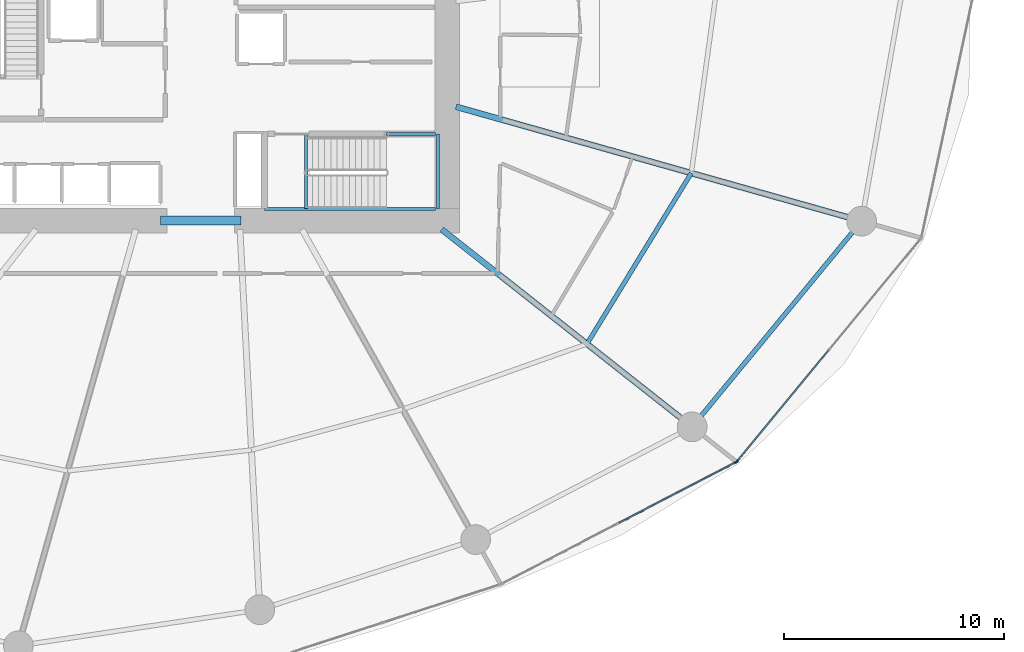
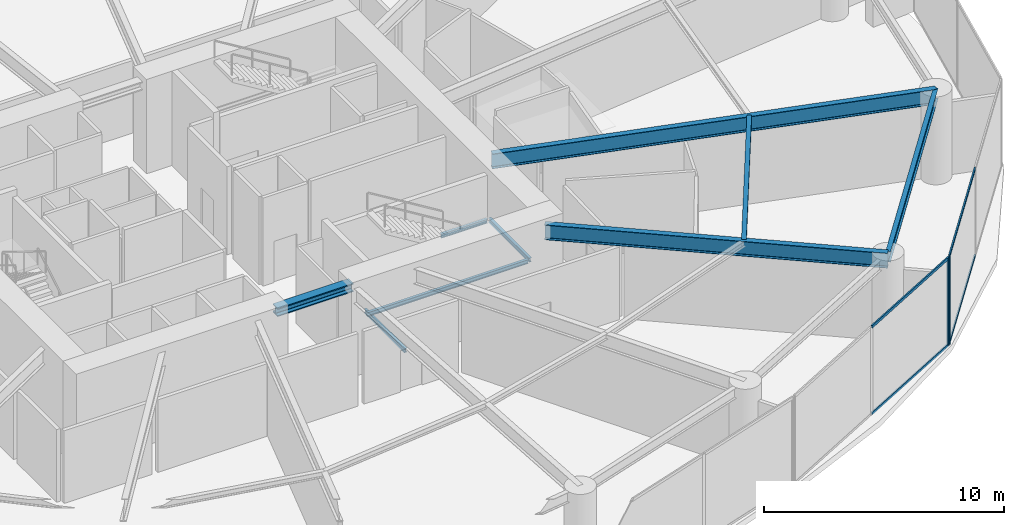
# One storey, part 10 of 22: 9 beams, 6 members, 2 elements without a shape of their own.
"""IFC4 building model written with IfcOpenShell, lengths in metres."""

import ifcopenshell
import ifcopenshell.guid

model = None  # the IFC model being written
_history = None  # IfcOwnerHistory: only IFC2X3 demands one
_inside = {}  # id of a spatial element -> (the spatial element, [elements in it])
_under = {}  # id of a project, library or spatial element -> (it, [spatial elements below it])
_declared = {}  # id of a project -> (the project, [libraries it declares])
_typed = {}  # id of a type object -> (the type object, [elements of that type])
_made_of = {}  # id of a material, layer set ... -> (it, [elements and type objects made of it])


def new_model(schema):
    """Start an empty IFC model of exactly this schema.

    Asked for "IFC4X3", IfcOpenShell would pick the latest addendum, in which some entities
    have other attributes; the version numbers below select the first issue.
    IFC2X3 requires an IfcOwnerHistory on every rooted entity: one is made here for all.
    """
    global model, _history
    if schema == "IFC4X3":
        model = ifcopenshell.file(schema_version=(4, 3, 0, 0))
    else:
        model = ifcopenshell.file(schema=schema)
    _inside.clear()
    _under.clear()
    _declared.clear()
    _typed.clear()
    _made_of.clear()
    _history = None
    if model.schema == "IFC2X3":
        org = make("IfcOrganization", Name="unknown")
        user = make(
            "IfcPersonAndOrganization",
            ThePerson=make("IfcPerson", FamilyName="unknown"),
            TheOrganization=org,
        )
        app = make(
            "IfcApplication",
            ApplicationDeveloper=org,
            Version="unknown",
            ApplicationFullName="unknown",
            ApplicationIdentifier="unknown",
        )
        _history = make(
            "IfcOwnerHistory",
            OwningUser=user,
            OwningApplication=app,
            ChangeAction="ADDED",
            CreationDate=0,
        )
    return model


def make(cls, **values):
    """One entity of the class cls with the attributes given. An attribute that is None is left unset."""
    return model.create_entity(
        cls, **{name: value for name, value in values.items() if value is not None}
    )


def rooted(cls, **values):
    """An entity with a GlobalId (a new one), such as an element, a storey or a relation."""
    return make(cls, GlobalId=ifcopenshell.guid.new(), OwnerHistory=_history, **values)


def si_unit(unit_type, name, prefix=None):
    """IfcSIUnit, for example si_unit("LENGTHUNIT", "METRE", prefix="MILLI")."""
    return make("IfcSIUnit", UnitType=unit_type, Prefix=prefix, Name=name)


def assignment(units):
    """IfcUnitAssignment: the units of a project."""
    return None if units is None else make("IfcUnitAssignment", Units=units)


def point(xyz):
    """IfcCartesianPoint."""
    return None if xyz is None else make("IfcCartesianPoint", Coordinates=xyz)


def direction(xyz):
    """IfcDirection."""
    return None if xyz is None else make("IfcDirection", DirectionRatios=xyz)


def frame(location, z_axis=None, x_axis=None):
    """IfcAxis2Placement3D, a coordinate frame: its origin and axes. An axis left out is left unset."""
    return make(
        "IfcAxis2Placement3D",
        Location=point(location),
        Axis=direction(z_axis),
        RefDirection=direction(x_axis),
    )


def frame_2d(location, x_axis=None):
    """IfcAxis2Placement2D, a coordinate frame in the plane: its origin and x axis."""
    return make(
        "IfcAxis2Placement2D", Location=point(location), RefDirection=direction(x_axis)
    )


def origin():
    """The frame at (0, 0, 0) with its axes left unset."""
    return frame((0.0, 0.0, 0.0))


def origin_2d():
    """The frame at (0, 0) in the plane with its x axis left unset."""
    return frame_2d((0.0, 0.0))


def place(relative_to, where):
    """IfcLocalPlacement: puts the frame where relative to a parent placement (None: the world)."""
    return make(
        "IfcLocalPlacement", PlacementRelTo=relative_to, RelativePlacement=where
    )


def context(
    kind, dimensions, precision=None, world=None, true_north=None, identifier=None
):
    """IfcGeometricRepresentationContext, for example the 3D "Model" context."""
    return make(
        "IfcGeometricRepresentationContext",
        ContextIdentifier=identifier,
        ContextType=kind,
        CoordinateSpaceDimension=dimensions,
        Precision=precision,
        WorldCoordinateSystem=world,
        TrueNorth=true_north,
    )


def subcontext(parent, identifier, kind, view, scale=None):
    """IfcGeometricRepresentationSubContext, for example "Body" below "Model"."""
    return make(
        "IfcGeometricRepresentationSubContext",
        ContextIdentifier=identifier,
        ContextType=kind,
        ParentContext=parent,
        TargetScale=scale,
        TargetView=view,
    )


def project(units=None, contexts=None):
    """IfcProject with its units and contexts."""
    return rooted(
        "IfcProject",
        Name="project",
        RepresentationContexts=contexts,
        UnitsInContext=assignment(units),
    )


def spatial(cls, under=None, at=None, **own):
    """A site, building, storey or space (cls), placed at a placement, below another one or the project."""
    s = rooted(cls, ObjectPlacement=at, **own)
    if under is not None:
        _under.setdefault(under.id(), (under, []))[1].append(s)
    return s


def profile(cls, at=None, kind="AREA", **sizes):
    """A parametric profile (cls). Its sizes go by their IFC names, for example OverallWidth=200.0."""
    return make(cls, ProfileType=kind, Position=at, **sizes)


def rectangle(**sizes):
    """IfcRectangleProfileDef."""
    return profile("IfcRectangleProfileDef", **sizes)


def i_section(**sizes):
    """IfcIShapeProfileDef."""
    return profile("IfcIShapeProfileDef", **sizes)


def extrude(swept, where, along, depth):
    """IfcExtrudedAreaSolid: the profile swept, set in the frame where, extruded along a direction by depth."""
    return make(
        "IfcExtrudedAreaSolid",
        SweptArea=swept,
        Position=where,
        ExtrudedDirection=direction(along),
        Depth=depth,
    )


def shape(context_of_items, identifier, shape_type, items):
    """IfcShapeRepresentation: the items that make up one representation, for example the "Body"."""
    return make(
        "IfcShapeRepresentation",
        ContextOfItems=context_of_items,
        RepresentationIdentifier=identifier,
        RepresentationType=shape_type,
        Items=items,
    )


def material(Name=None, Category=None):
    """IfcMaterial."""
    return make("IfcMaterial", Name=Name, Category=Category)


def layer(
    of_material, thickness, ventilated=None, Name=None, Category=None, Priority=None
):
    """IfcMaterialLayer: one layer of a wall or slab, of a material (None: an air gap)."""
    return make(
        "IfcMaterialLayer",
        Material=of_material,
        LayerThickness=thickness,
        IsVentilated=ventilated,
        Name=Name,
        Category=Category,
        Priority=Priority,
    )


def layer_set(layers, Name=None):
    """IfcMaterialLayerSet."""
    return make("IfcMaterialLayerSet", MaterialLayers=layers, LayerSetName=Name)


def material_profile(
    of_material, cross_section, Name=None, Category=None, Priority=None
):
    """IfcMaterialProfile: a cross section and its material."""
    return make(
        "IfcMaterialProfile",
        Name=Name,
        Material=of_material,
        Profile=cross_section,
        Priority=Priority,
        Category=Category,
    )


def profile_set(profiles, Name=None, composite=None):
    """IfcMaterialProfileSet."""
    return make(
        "IfcMaterialProfileSet",
        Name=Name,
        MaterialProfiles=profiles,
        CompositeProfile=composite,
    )


def made_of(thing, what):
    """Note that an element or type object is made of a material, layer set ...; save() writes the relation."""
    if what is not None:
        _made_of.setdefault(what.id(), (what, []))[1].append(thing)
    return thing


def type_object(cls, material=None, **own):
    """A type object (cls), such as IfcWallType, which elements share."""
    return made_of(rooted(cls, **own), material)


def element(
    cls,
    number,
    at=None,
    inside=None,
    cuts=None,
    type_object=None,
    material=None,
    context=None,
    identifier="Body",
    shape_type=None,
    held_by="IfcProductDefinitionShape",
    body=None,
    shapes=None,
    **own,
):
    """One element of the class cls, such as IfcWall. Its Tag is "e" and its number.

    at: its placement. inside: the storey or other place that contains it. cuts: it is an
    opening in that element (IfcRelVoidsElement). A single representation is given by context,
    identifier, shape_type and body (its items); several are given by shapes. held_by: the class
    of the entity that holds the representations. save() writes the other relations.
    """
    e = rooted(cls, Tag="e%d" % number, ObjectPlacement=at, **own)
    if body is not None:
        shapes = [shape(context, identifier, shape_type, body)]
    if shapes is not None:
        e.Representation = make(held_by, Representations=shapes)
    if inside is not None:
        _inside.setdefault(inside.id(), (inside, []))[1].append(e)
    if cuts is not None:
        rooted(
            "IfcRelVoidsElement", RelatingBuildingElement=cuts, RelatedOpeningElement=e
        )
    if type_object is not None:
        _typed.setdefault(type_object.id(), (type_object, []))[1].append(e)
    return made_of(e, material)


def aggregate(whole, parts):
    """IfcRelAggregates: a whole, such as a stair, and the parts it consists of."""
    return rooted("IfcRelAggregates", RelatingObject=whole, RelatedObjects=parts)


def save(model, path):
    """Write the relations noted so far, then the file.

    IfcRelAggregates (storeys below a building ...), IfcRelContainedInSpatialStructure (elements
    in a storey), IfcRelDefinesByType, IfcRelAssociatesMaterial and IfcRelDeclares: one each for
    every whole, place, type object, material and project.
    """
    for whole, parts in _under.values():
        aggregate(whole, parts)
    for where, things in _inside.values():
        rooted(
            "IfcRelContainedInSpatialStructure",
            RelatedElements=things,
            RelatingStructure=where,
        )
    for kind, things in _typed.values():
        rooted("IfcRelDefinesByType", RelatedObjects=things, RelatingType=kind)
    for what, things in _made_of.values():
        rooted("IfcRelAssociatesMaterial", RelatedObjects=things, RelatingMaterial=what)
    for by, libraries in _declared.values():
        rooted("IfcRelDeclares", RelatingContext=by, RelatedDefinitions=libraries)
    model.write(path)


model = new_model("IFC4")

# Units and contexts
model_context = context("Model", 3, precision=1e-05, world=origin(), true_north=direction((0.0, 1.0)))
body_context = subcontext(model_context, "Body", "Model", "MODEL_VIEW")
ifc_project = project(units=[si_unit("LENGTHUNIT", "METRE"), si_unit("AREAUNIT", "SQUARE_METRE"), si_unit("VOLUMEUNIT", "CUBIC_METRE"), si_unit("PLANEANGLEUNIT", "RADIAN"), si_unit("MASSUNIT", "GRAM", prefix="KILO")], contexts=[model_context])

# Site, building, storey
site_placement = place(None, origin())
site = spatial("IfcSite", under=ifc_project, at=site_placement, CompositionType="ELEMENT")
building_placement = place(site_placement, origin())
building = spatial("IfcBuilding", under=site, at=building_placement, Name="Kazma Halo Residences", CompositionType="ELEMENT")
storey_placement = place(building_placement, frame((0.0, 0.0, 12.0)))
storey = spatial("IfcBuildingStorey", under=building, at=storey_placement, Name="L02", CompositionType="ELEMENT", Elevation=12.0)

# Beams
ifc_material_1 = material(Name="Steel S355", Category="steel")
ifc_material_profile_1 = material_profile(ifc_material_1, i_section(OverallWidth=0.408935546875, OverallDepth=0.425048828125, WebThickness=0.03271484375, FlangeThickness=0.052490234375, FilletRadius=0.02001953125, at=origin_2d()), Name="W360x421")
ifc_profile_set_1 = profile_set([ifc_material_profile_1], Name="Steel S355")
beam_type_1 = type_object("IfcBeamType", Name="BM-CORE-W360H", PredefinedType="BEAM", material=ifc_profile_set_1)
beam_1_placement = place(storey_placement, frame((46.60009765625, 33.449951171875, 4.267578125), z_axis=(1.0, 0.0, 0.0), x_axis=(0.0, 1.0, 0.0)))
element("IfcBeam", 1, at=beam_1_placement, inside=storey, type_object=beam_type_1, Name="L02 core coupling beam S", PredefinedType="BEAM", context=body_context, shape_type="SweptSolid", body=[
    extrude(i_section(OverallWidth=0.408935546875, OverallDepth=0.425048828125, WebThickness=0.03271484375, FlangeThickness=0.052490234375, FilletRadius=0.02001953125, at=origin_2d()), origin(), (0.0, 0.0, 1.0), 3.64990234375),
])
ifc_material_profile_2 = material_profile(ifc_material_1, i_section(OverallWidth=0.26708984375, OverallDepth=0.761962890625, WebThickness=0.014404296875, FlangeThickness=0.021484375, FilletRadius=0.02001953125, at=origin_2d()), Name="W760x173")
ifc_profile_set_2 = profile_set([ifc_material_profile_2], Name="Steel S355")
beam_type_2 = type_object("IfcBeamType", Name="BM-POD-W760", PredefinedType="BEAM", material=ifc_profile_set_2)
beam_2_placement = place(storey_placement, frame((59.35302734375, 33.050048828125, 4.09912109375), z_axis=(0.785314311706, -0.619097271702, 0.0), x_axis=(0.619097271702, 0.785314311706, 0.0)))
element("IfcBeam", 2, at=beam_2_placement, inside=storey, type_object=beam_type_2, Name="L02 radial floor beam 14", PredefinedType="BEAM", context=body_context, shape_type="SweptSolid", body=[
    extrude(i_section(OverallWidth=0.26708984375, OverallDepth=0.761962890625, WebThickness=0.014404296875, FlangeThickness=0.021484375, FilletRadius=0.02001953125, at=origin_2d()), origin(), (0.0, 0.0, 1.0), 14.46044921875),
])
beam_3_placement = place(storey_placement, frame((60.0, 38.615478515625, 4.09912109375), z_axis=(0.962458146095, -0.271430132845, 0.0), x_axis=(0.271430132845, 0.962458146095, 0.0)))
element("IfcBeam", 3, at=beam_3_placement, inside=storey, type_object=beam_type_2, Name="L02 radial floor beam 15", PredefinedType="BEAM", context=body_context, shape_type="SweptSolid", body=[
    extrude(i_section(OverallWidth=0.26708984375, OverallDepth=0.761962890625, WebThickness=0.014404296875, FlangeThickness=0.021484375, FilletRadius=0.02001953125, at=origin_2d()), origin(), (0.0, 0.0, 1.0), 19.115234375),
])
ifc_material_profile_3 = material_profile(ifc_material_1, i_section(OverallWidth=0.202880859375, OverallDepth=0.302978515625, WebThickness=0.007568359375, FlangeThickness=0.01318359375, FilletRadius=0.013916015625, at=origin_2d()), Name="W310x60")
ifc_profile_set_3 = profile_set([ifc_material_profile_3], Name="Steel S355")
beam_type_3 = type_object("IfcBeamType", Name="BM-SEC-W310A", PredefinedType="JOIST", material=ifc_profile_set_3)
beam_4_placement = place(storey_placement, frame((65.939453125, 27.857666015625, 4.32861328125), z_axis=(0.521128000965, 0.853478533187, 0.0), x_axis=(-0.853478533187, 0.521128000965, 0.0)))
element("IfcBeam", 4, at=beam_4_placement, inside=storey, type_object=beam_type_3, Name="L02 circumferential floor joist 14", PredefinedType="JOIST", context=body_context, shape_type="SweptSolid", body=[
    extrude(i_section(OverallWidth=0.202880859375, OverallDepth=0.302978515625, WebThickness=0.007568359375, FlangeThickness=0.01318359375, FilletRadius=0.013916015625, at=origin_2d()), origin(), (0.0, 0.0, 1.0), 9.078857421875),
])
ifc_material_profile_4 = material_profile(ifc_material_1, i_section(OverallWidth=0.208984375, OverallDepth=0.532958984375, WebThickness=0.01025390625, FlangeThickness=0.015625, FilletRadius=0.01611328125, at=origin_2d()), Name="W530x92")
ifc_profile_set_4 = profile_set([ifc_material_profile_4], Name="Steel S355")
beam_type_4 = type_object("IfcBeamType", Name="BM-SPN-W530", PredefinedType="BEAM", material=ifc_profile_set_4)
beam_5_placement = place(storey_placement, frame((70.708984375, 24.09765625, 4.21337890625), z_axis=(0.635989643733, 0.771697591718, 0.0), x_axis=(-0.771697591718, 0.635989643733, 0.0)))
element("IfcBeam", 5, at=beam_5_placement, inside=storey, type_object=beam_type_4, Name="L02 perimeter ring beam 14", PredefinedType="BEAM", context=body_context, shape_type="SweptSolid", body=[
    extrude(i_section(OverallWidth=0.208984375, OverallDepth=0.532958984375, WebThickness=0.01025390625, FlangeThickness=0.015625, FilletRadius=0.01611328125, at=origin_2d()), origin(), (0.0, 0.0, 1.0), 12.08935546875),
])
ifc_material_profile_5 = material_profile(ifc_material_1, i_section(OverallWidth=0.133056640625, OverallDepth=0.20703125, WebThickness=0.005859375, FlangeThickness=0.00830078125, FilletRadius=0.010009765625, at=origin_2d()), Name="W200x26.6")
ifc_profile_set_5 = profile_set([ifc_material_profile_5], Name="Steel S355")
beam_type_5 = type_object("IfcBeamType", Name="BM-TRIM-W200", PredefinedType="BEAM", material=ifc_profile_set_5)
beam_6_placement = place(storey_placement, frame((53.199951171875, 34.0, -0.429931640625), z_axis=(0.0, 1.0, 0.0), x_axis=(-1.0, 0.0, 0.0)))
element("IfcBeam", 6, at=beam_6_placement, inside=storey, type_object=beam_type_5, Name="L02 ST-03 floor landing support beam", PredefinedType="BEAM", context=body_context, shape_type="SweptSolid", body=[
    extrude(i_section(OverallWidth=0.133056640625, OverallDepth=0.20703125, WebThickness=0.005859375, FlangeThickness=0.00830078125, FilletRadius=0.010009765625, at=origin_2d()), origin(), (0.0, 0.0, 1.0), 3.3798828125),
])
beam_7_placement = place(storey_placement, frame((51.31005859375, 33.97998046875, 2.094970703125), z_axis=(1.0, 0.0, 0.0), x_axis=(0.0, 1.0, 0.0)))
element("IfcBeam", 7, at=beam_7_placement, inside=storey, type_object=beam_type_5, Name="L02 ST-03 landing south wall ledger", PredefinedType="BEAM", context=body_context, shape_type="SweptSolid", body=[
    extrude(i_section(OverallWidth=0.133056640625, OverallDepth=0.20703125, WebThickness=0.005859375, FlangeThickness=0.00830078125, FilletRadius=0.010009765625, at=origin_2d()), origin(), (0.0, 0.0, 1.0), 7.760009765625),
])
beam_8_placement = place(storey_placement, frame((56.840087890625, 37.3798828125, 2.094970703125), z_axis=(1.0, 0.0, 0.0), x_axis=(0.0, 1.0, 0.0)))
element("IfcBeam", 8, at=beam_8_placement, inside=storey, type_object=beam_type_5, Name="L02 ST-03 landing north wall ledger", PredefinedType="BEAM", context=body_context, shape_type="SweptSolid", body=[
    extrude(i_section(OverallWidth=0.133056640625, OverallDepth=0.20703125, WebThickness=0.005859375, FlangeThickness=0.00830078125, FilletRadius=0.010009765625, at=origin_2d()), origin(), (0.0, 0.0, 1.0), 2.22998046875),
])
beam_9_placement = place(storey_placement, frame((59.18994140625, 33.97998046875, 2.094970703125), z_axis=(0.0, 1.0, 0.0), x_axis=(-1.0, 0.0, 0.0)))
element("IfcBeam", 9, at=beam_9_placement, inside=storey, type_object=beam_type_5, Name="L02 ST-03 landing end wall ledger", PredefinedType="BEAM", context=body_context, shape_type="SweptSolid", body=[
    extrude(i_section(OverallWidth=0.133056640625, OverallDepth=0.20703125, WebThickness=0.005859375, FlangeThickness=0.00830078125, FilletRadius=0.010009765625, at=origin_2d()), origin(), (0.0, 0.0, 1.0), 3.39990234375),
])

# Curtain wall, member
ifc_material_2 = material(Name="Aluminium AW-6063 T6 and Triple-Silver Low-E Glass", Category="aluminium")
ifc_layer = layer(ifc_material_2, 0.179931640625)
ifc_layer_set = layer_set([ifc_layer], Name="Aluminium AW-6063 T6 and Triple-Silver Low-E Glass")
curtain_wall_type = type_object("IfcCurtainWallType", Name="CW-SYS-1", PredefinedType="NOTDEFINED", material=ifc_layer_set)
curtain_wall_1_placement = place(storey_placement, origin())
curtain_wall_1 = element("IfcCurtainWall", 10, at=curtain_wall_1_placement, inside=storey, type_object=curtain_wall_type, Name="L02 unitised curtain wall B13", PredefinedType="NOTDEFINED")
ifc_material_3 = material(Name="Aluminium AW-6063 T6", Category="aluminium")
ifc_material_profile_6 = material_profile(ifc_material_3, rectangle(XDim=0.06494140625, YDim=0.179931640625, at=origin_2d()), Name="CWM-65x180")
ifc_profile_set_6 = profile_set([ifc_material_profile_6], Name="Aluminium AW-6063 T6")
member_type_1 = type_object("IfcMemberType", Name="CW-SYS-1-MUL", PredefinedType="MULLION", material=ifc_profile_set_6)
member_1_placement = place(storey_placement, frame((72.6953125, 22.493896484375, 0.0), z_axis=(0.0, 0.0, 1.0), x_axis=(-0.46108680311, 0.887355036047, 0.0)))
member_1 = element("IfcMember", 11, at=member_1_placement, type_object=member_type_1, Name="CWS-1 mullion 3", PredefinedType="MULLION", context=body_context, shape_type="SweptSolid", body=[
    extrude(rectangle(XDim=0.06494140625, YDim=0.179931640625, at=origin_2d()), origin(), (0.0, 0.0, 1.0), 4.47998046875),
])

curtain_wall_2_placement = place(storey_placement, origin())
curtain_wall_2 = element("IfcCurtainWall", 12, at=curtain_wall_2_placement, inside=storey, type_object=curtain_wall_type, Name="L02 unitised curtain wall B14", PredefinedType="NOTDEFINED")
member_2_placement = place(storey_placement, frame((72.744873046875, 22.5341796875, 0.0), z_axis=(0.0, 0.0, 1.0), x_axis=(-0.771191775002, 0.636602895194, 0.0)))
member_2 = element("IfcMember", 13, at=member_2_placement, type_object=member_type_1, Name="CWS-1 mullion 1", PredefinedType="MULLION", context=body_context, shape_type="SweptSolid", body=[
    extrude(rectangle(XDim=0.06494140625, YDim=0.179931640625, at=origin_2d()), origin(), (0.0, 0.0, 1.0), 4.47998046875),
])

# Member
ifc_material_profile_7 = material_profile(ifc_material_3, rectangle(XDim=0.06494140625, YDim=0.135009765625, at=origin_2d()), Name="CWT-65x135")
ifc_profile_set_7 = profile_set([ifc_material_profile_7], Name="Aluminium AW-6063 T6")
member_type_2 = type_object("IfcMemberType", Name="CW-SYS-1-TRN", PredefinedType="USERDEFINED", material=ifc_profile_set_7)
member_3_placement = place(storey_placement, frame((67.405029296875, 19.7451171875, 0.032470703125), z_axis=(0.887360351848, 0.461076572781, 0.0), x_axis=(-0.461076572781, 0.887360351848, 0.0)))
member_3 = element("IfcMember", 14, at=member_3_placement, type_object=member_type_2, Name="CWS-1 transom 2.1", ObjectType="TRANSOM", PredefinedType="USERDEFINED", context=body_context, shape_type="SweptSolid", body=[
    extrude(rectangle(XDim=0.06494140625, YDim=0.135009765625, at=origin_2d()), origin(), (0.0, 0.0, 1.0), 5.929443359375),
])

member_4_placement = place(storey_placement, frame((67.405029296875, 19.7451171875, 4.447509765625), z_axis=(0.887360351848, 0.461076572781, 0.0), x_axis=(-0.461076572781, 0.887360351848, 0.0)))
member_4 = element("IfcMember", 15, at=member_4_placement, type_object=member_type_2, Name="CWS-1 transom 2.2", ObjectType="TRANSOM", PredefinedType="USERDEFINED", context=body_context, shape_type="SweptSolid", body=[
    extrude(rectangle(XDim=0.06494140625, YDim=0.135009765625, at=origin_2d()), origin(), (0.0, 0.0, 1.0), 5.929443359375),
])

aggregate(curtain_wall_1, [member_1, member_3, member_4])

member_5_placement = place(storey_placement, frame((72.765625, 22.55908203125, 0.032470703125), z_axis=(0.636593466061, 0.771199558459, 0.0), x_axis=(-0.771199558459, 0.636593466061, 0.0)))
member_5 = element("IfcMember", 16, at=member_5_placement, type_object=member_type_2, Name="CWS-1 transom 1.1", ObjectType="TRANSOM", PredefinedType="USERDEFINED", context=body_context, shape_type="SweptSolid", body=[
    extrude(rectangle(XDim=0.06494140625, YDim=0.135009765625, at=origin_2d()), origin(), (0.0, 0.0, 1.0), 6.48583984375),
])

member_6_placement = place(storey_placement, frame((72.765625, 22.55908203125, 4.447509765625), z_axis=(0.636593466061, 0.771199558459, 0.0), x_axis=(-0.771199558459, 0.636593466061, 0.0)))
member_6 = element("IfcMember", 17, at=member_6_placement, type_object=member_type_2, Name="CWS-1 transom 1.2", ObjectType="TRANSOM", PredefinedType="USERDEFINED", context=body_context, shape_type="SweptSolid", body=[
    extrude(rectangle(XDim=0.06494140625, YDim=0.135009765625, at=origin_2d()), origin(), (0.0, 0.0, 1.0), 6.48583984375),
])

aggregate(curtain_wall_2, [member_2, member_5, member_6])

save(model, "model.ifc")
